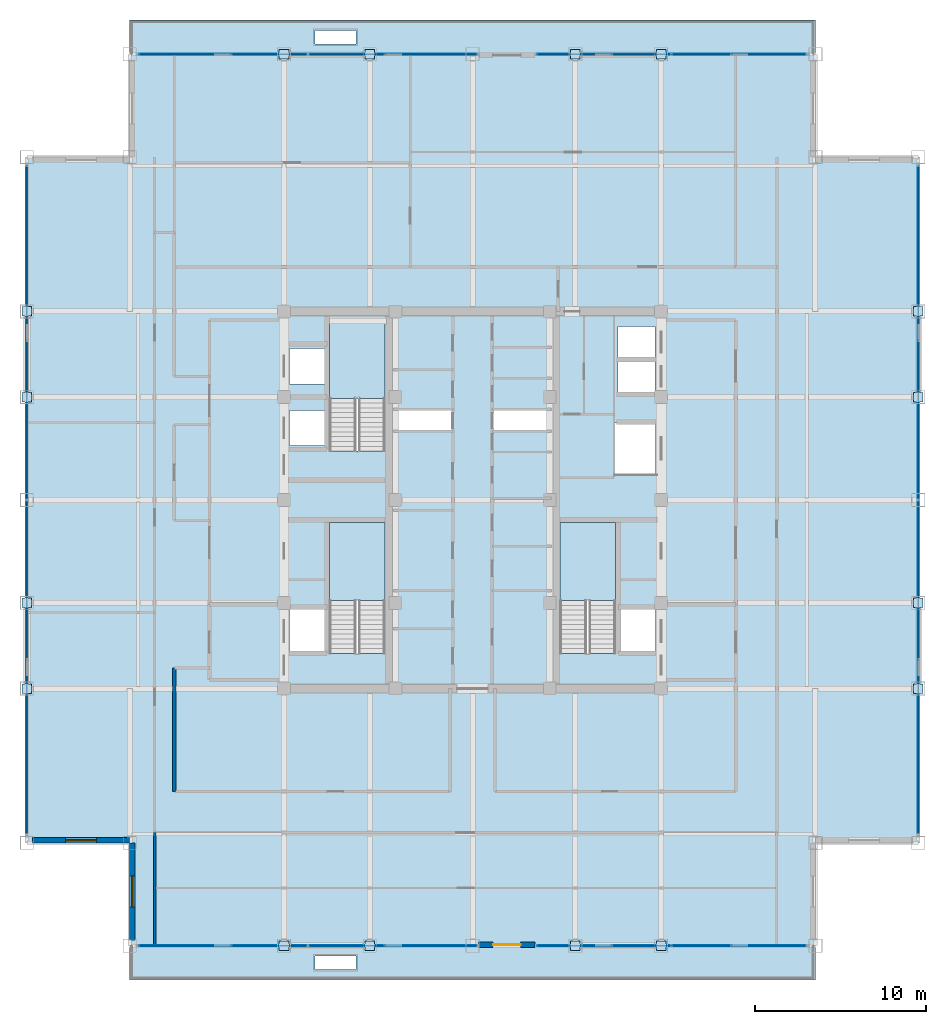
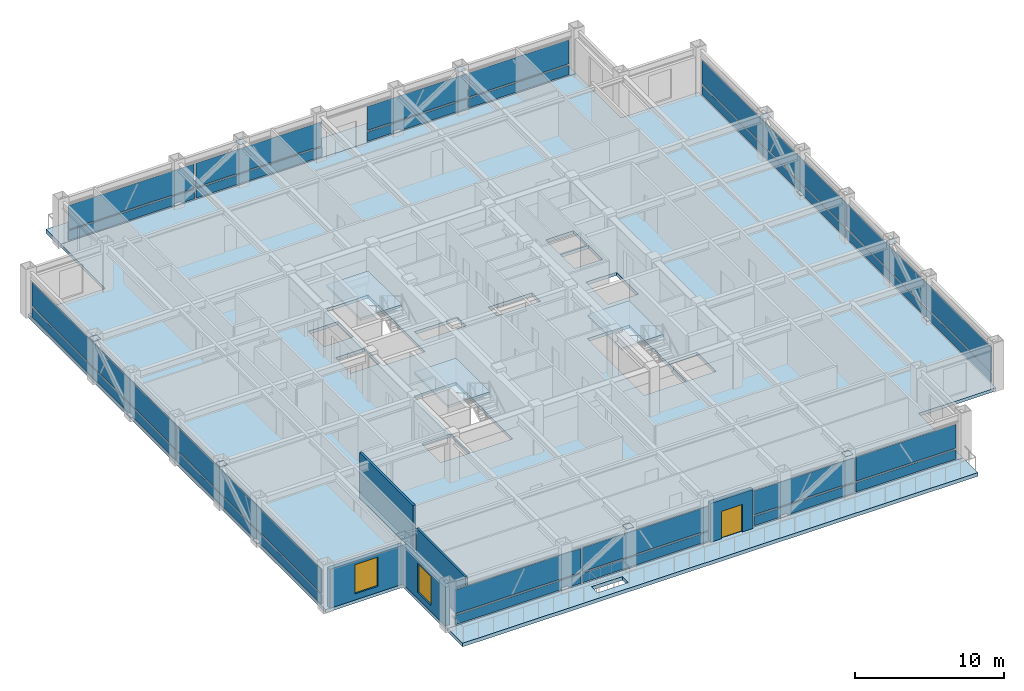
# One storey, part 23 of 30: 40 plates, 6 slabs, 5 walls, 2 windows, 1 door, 3 openings, 9 elements without a shape of their own.
"""IFC4 building model written with IfcOpenShell, lengths in metres."""

from ifc_helpers import new_model, si_unit, direction, frame, frame_2d, origin, origin_2d, place, context, subcontext, project, spatial, polyline, rectangle, outline, extrude, source, transform, mapped, material, layer, layer_set, type_object, element, fill, aggregate, save


model = new_model("IFC4")

# Units and contexts
model_context = context("Model", 3, precision=1e-05, world=origin(), true_north=direction((0.0, 1.0)))
body_context = subcontext(model_context, "Body", "Model", "MODEL_VIEW")
ifc_project = project(units=[si_unit("LENGTHUNIT", "METRE"), si_unit("AREAUNIT", "SQUARE_METRE"), si_unit("VOLUMEUNIT", "CUBIC_METRE"), si_unit("PLANEANGLEUNIT", "RADIAN"), si_unit("MASSUNIT", "GRAM", prefix="KILO")], contexts=[model_context])

# Site, building, storey
site_placement = place(None, origin())
site = spatial("IfcSite", under=ifc_project, at=site_placement, CompositionType="ELEMENT")
building_placement = place(site_placement, origin())
building = spatial("IfcBuilding", under=site, at=building_placement, Name="Khorayat Bourse Tower", CompositionType="ELEMENT")
storey_placement = place(building_placement, frame((0.0, 0.0, 326.300048828125)))
storey = spatial("IfcBuildingStorey", under=building, at=storey_placement, Name="L77", CompositionType="ELEMENT", Elevation=326.300048828125)

# Stair, slab
ifc_material_1 = material(Name="Concrete C40/50", Category="concrete")
stair_type = type_object("IfcStairType", Name="STR-CORE-1550", PredefinedType="HALF_TURN_STAIR", material=ifc_material_1)
stair_1_placement = place(storey_placement, origin())
stair_1 = element("IfcStair", 1, at=stair_1_placement, inside=storey, type_object=stair_type, Name="L77 Exit Stair ST-1", PredefinedType="HALF_TURN_STAIR")
ifc_layer_1 = layer(ifc_material_1, 0.199951171875)
ifc_layer_set_1 = layer_set([ifc_layer_1], Name="Concrete C40/50")
slab_type_1 = type_object("IfcSlabType", Name="SLB-LANDING-200", PredefinedType="LANDING", material=ifc_layer_set_1)
slab_1_placement = place(storey_placement, frame((0.0, 0.0, 1.800048828125)))
slab_1 = element("IfcSlab", 2, at=slab_1_placement, type_object=slab_type_1, Name="ST-1 landing 1", PredefinedType="LANDING", context=body_context, shape_type="SweptSolid", body=[
    extrude(outline(polyline([(-5.10009765625, -5.8701171875), (-5.10009765625, -1.300048828125), (-8.35009765625, -1.300048828125), (-8.35009765625, -5.8701171875), (-5.10009765625, -5.8701171875)])), origin(), (0.0, 0.0, 1.0), 0.199951171875),
])
aggregate(stair_1, [slab_1])

stair_2_placement = place(storey_placement, origin())
stair_2 = element("IfcStair", 3, at=stair_2_placement, inside=storey, type_object=stair_type, Name="L77 Exit Stair ST-2", PredefinedType="HALF_TURN_STAIR")
slab_2_placement = place(storey_placement, frame((0.0, 0.0, 1.800048828125)))
slab_2 = element("IfcSlab", 4, at=slab_2_placement, type_object=slab_type_1, Name="ST-2 landing 1", PredefinedType="LANDING", context=body_context, shape_type="SweptSolid", body=[
    extrude(outline(polyline([(-5.10009765625, 5.929931640625), (-5.10009765625, 10.5), (-8.35009765625, 10.5), (-8.35009765625, 5.929931640625), (-5.10009765625, 5.929931640625)])), origin(), (0.0, 0.0, 1.0), 0.199951171875),
])
aggregate(stair_2, [slab_2])

stair_3_placement = place(storey_placement, origin())
stair_3 = element("IfcStair", 5, at=stair_3_placement, inside=storey, type_object=stair_type, Name="L77 Exit Stair ST-3", PredefinedType="HALF_TURN_STAIR")
slab_3_placement = place(storey_placement, frame((0.0, 0.0, 1.800048828125)))
slab_3 = element("IfcSlab", 6, at=slab_3_placement, type_object=slab_type_1, Name="ST-3 landing 1", PredefinedType="LANDING", context=body_context, shape_type="SweptSolid", body=[
    extrude(outline(polyline([(8.35009765625, -5.8701171875), (8.35009765625, -1.300048828125), (5.10009765625, -1.300048828125), (5.10009765625, -5.8701171875), (8.35009765625, -5.8701171875)])), origin(), (0.0, 0.0, 1.0), 0.199951171875),
])
aggregate(stair_3, [slab_3])

# Slabs
ifc_layer_2 = layer(ifc_material_1, 0.219970703125)
ifc_layer_set_2 = layer_set([ifc_layer_2], Name="Concrete C40/50")
slab_type_2 = type_object("IfcSlabType", Name="SLB-OFFICE-220", PredefinedType="FLOOR", material=ifc_layer_set_2)
slab_4_placement = place(storey_placement, frame((0.0, 0.0, -0.260009765625)))
element("IfcSlab", 7, at=slab_4_placement, inside=storey, type_object=slab_type_2, Name="L77 Main Floor Slab", PredefinedType="FLOOR", context=body_context, shape_type="SweptSolid", body=[
    extrude(outline(polyline([(-20.0, -26.0), (20.0, -26.0), (20.0, -20.0), (26.0, -20.0), (26.0, 20.0), (20.0, 20.0), (20.0, 26.0), (-20.0, 26.0), (-20.0, 20.0), (-26.0, 20.0), (-26.0, -20.0), (-20.0, -20.0), (-20.0, -26.0)]), holes=[polyline([(-8.35009765625, -8.945068359375), (-5.10009765625, -8.945068359375), (-5.10009765625, -1.300048828125), (-8.35009765625, -1.300048828125), (-8.35009765625, -8.945068359375)]), polyline([(-8.35009765625, 2.85498046875), (-5.10009765625, 2.85498046875), (-5.10009765625, 10.5), (-8.35009765625, 10.5), (-8.35009765625, 2.85498046875)]), polyline([(5.10009765625, -8.945068359375), (8.35009765625, -8.945068359375), (8.35009765625, -1.300048828125), (5.10009765625, -1.300048828125), (5.10009765625, -8.945068359375)]), polyline([(-10.679931640625, 3.169921875), (-8.419921875, 3.169921875), (-8.419921875, 5.22998046875), (-10.679931640625, 5.22998046875), (-10.679931640625, 3.169921875)]), polyline([(-10.679931640625, 6.77001953125), (-8.419921875, 6.77001953125), (-8.419921875, 8.830078125), (-10.679931640625, 8.830078125), (-10.679931640625, 6.77001953125)]), polyline([(8.469970703125, 6.27001953125), (10.6298828125, 6.27001953125), (10.6298828125, 8.1298828125), (8.469970703125, 8.1298828125), (8.469970703125, 6.27001953125)]), polyline([(8.469970703125, 8.27001953125), (10.6298828125, 8.27001953125), (10.6298828125, 10.1298828125), (8.469970703125, 10.1298828125), (8.469970703125, 8.27001953125)]), polyline([(-10.679931640625, -8.929931640625), (-8.419921875, -8.929931640625), (-8.419921875, -6.3701171875), (-10.679931640625, -6.3701171875), (-10.679931640625, -8.929931640625)]), polyline([(8.419921875, -8.929931640625), (10.679931640625, -8.929931640625), (10.679931640625, -6.3701171875), (8.419921875, -6.3701171875), (8.419921875, -8.929931640625)]), polyline([(8.320068359375, 1.52001953125), (10.679931640625, 1.52001953125), (10.679931640625, 4.47998046875), (8.320068359375, 4.47998046875), (8.320068359375, 1.52001953125)]), polyline([(-4.56005859375, 4.080078125), (-1.18994140625, 4.080078125), (-1.18994140625, 5.219970703125), (-4.56005859375, 5.219970703125), (-4.56005859375, 4.080078125)]), polyline([(1.18994140625, 4.080078125), (4.56005859375, 4.080078125), (4.56005859375, 5.219970703125), (1.18994140625, 5.219970703125), (1.18994140625, 4.080078125)])]), origin(), (0.0, 0.0, 1.0), 0.260009765625),
])
ifc_layer_3 = layer(ifc_material_1, 0.300048828125)
ifc_layer_set_3 = layer_set([ifc_layer_3], Name="Concrete C40/50")
slab_type_3 = type_object("IfcSlabType", Name="SLB-TERR-300", PredefinedType="FLOOR", material=ifc_layer_set_3)
slab_5_placement = place(storey_placement, frame((0.0, 0.0, -0.300048828125)))
element("IfcSlab", 8, at=slab_5_placement, inside=storey, type_object=slab_type_3, Name="L77 Planted Garden Terrace Slab 01", PredefinedType="FLOOR", context=body_context, shape_type="SweptSolid", body=[
    extrude(outline(polyline([(-20.0, 26.0), (20.0, 26.0), (20.0, 28.0), (-20.0, 28.0), (-20.0, 26.0)]), holes=[polyline([(-9.199951171875, 26.60009765625), (-6.800048828125, 26.60009765625), (-6.800048828125, 27.39990234375), (-9.199951171875, 27.39990234375), (-9.199951171875, 26.60009765625)])]), origin(), (0.0, 0.0, 1.0), 0.300048828125),
])
slab_6_placement = place(storey_placement, frame((0.0, 0.0, -0.300048828125)))
element("IfcSlab", 9, at=slab_6_placement, inside=storey, type_object=slab_type_3, Name="L77 Planted Garden Terrace Slab 02", PredefinedType="FLOOR", context=body_context, shape_type="SweptSolid", body=[
    extrude(outline(polyline([(-20.0, -28.0), (20.0, -28.0), (20.0, -26.0), (-20.0, -26.0), (-20.0, -28.0)]), holes=[polyline([(-9.199951171875, -27.39990234375), (-6.800048828125, -27.39990234375), (-6.800048828125, -26.60009765625), (-9.199951171875, -26.60009765625), (-9.199951171875, -27.39990234375)])]), origin(), (0.0, 0.0, 1.0), 0.300048828125),
])

# Plates
ifc_material_2 = material(Name="Steel EN 10025-2 S355J2", Category="steel")
ifc_layer_4 = layer(ifc_material_2, 0.02490234375)
ifc_layer_set_4 = layer_set([ifc_layer_4], Name="Steel EN 10025-2 S355J2")
plate_type_1 = type_object("IfcPlateType", Name="PLT-ENDCAP-25", PredefinedType="SHEET", material=ifc_layer_set_4)
shared_shape_1 = source(origin(), body_context, "Body", "SweptSolid", [
    extrude(rectangle(XDim=0.56005859375, YDim=0.56005859375, at=origin_2d()), origin(), (0.0, 0.0, 1.0), 0.02490234375),
])
for number, where, z_axis, x_axis, name in (
    (10, (-11.0, -26.0, 0.237548828125), (0.0, 0.0, 1.0), (1.0, 0.0, 0.0), "L77 Perimeter Brace End Plate 001"),
    (11, (-6.0, -26.0, 3.4775390625), (0.0, 0.0, 1.0), (1.0, 0.0, 0.0), "L77 Perimeter Brace End Plate 002"),
    (12, (6.0, -26.0, 0.237548828125), (0.0, 0.0, 1.0), (1.0, 0.0, 0.0), "L77 Perimeter Brace End Plate 003"),
    (13, (11.0, -26.0, 3.4775390625), (0.0, 0.0, 1.0), (1.0, 0.0, 0.0), "L77 Perimeter Brace End Plate 004"),
    (14, (-11.0, 26.0, 0.237548828125), (0.0, 0.0, 1.0), (1.0, 0.0, 0.0), "L77 Perimeter Brace End Plate 005"),
    (15, (-6.0, 26.0, 3.4775390625), (0.0, 0.0, 1.0), (1.0, 0.0, 0.0), "L77 Perimeter Brace End Plate 006"),
    (16, (6.0, 26.0, 0.237548828125), (0.0, 0.0, 1.0), (1.0, 0.0, 0.0), "L77 Perimeter Brace End Plate 007"),
    (17, (11.0, 26.0, 3.4775390625), (0.0, 0.0, 1.0), (1.0, 0.0, 0.0), "L77 Perimeter Brace End Plate 008"),
    (18, (-26.0, -11.0, 0.237548828125), (0.0, 0.0, 1.0), (1.0, 0.0, 0.0), "L77 Perimeter Brace End Plate 009"),
    (19, (-26.0, -6.0, 3.4775390625), (0.0, 0.0, 1.0), (1.0, 0.0, 0.0), "L77 Perimeter Brace End Plate 010"),
    (20, (-26.0, 6.0, 0.237548828125), (0.0, 0.0, 1.0), (1.0, 0.0, 0.0), "L77 Perimeter Brace End Plate 011"),
    (21, (-26.0, 11.0, 3.4775390625), (0.0, 0.0, 1.0), (1.0, 0.0, 0.0), "L77 Perimeter Brace End Plate 012"),
    (22, (26.0, -11.0, 0.237548828125), (0.0, 0.0, 1.0), (1.0, 0.0, 0.0), "L77 Perimeter Brace End Plate 013"),
    (23, (26.0, -6.0, 3.4775390625), (0.0, 0.0, 1.0), (1.0, 0.0, 0.0), "L77 Perimeter Brace End Plate 014"),
    (24, (26.0, 6.0, 0.237548828125), (0.0, 0.0, 1.0), (1.0, 0.0, 0.0), "L77 Perimeter Brace End Plate 015"),
    (25, (26.0, 11.0, 3.4775390625), (0.0, 0.0, 1.0), (1.0, 0.0, 0.0), "L77 Perimeter Brace End Plate 016"),
):
    element("IfcPlate", number, at=place(storey_placement, frame(where, z_axis=z_axis, x_axis=x_axis)), inside=storey, type_object=plate_type_1, Name=name, PredefinedType="SHEET", context=body_context, shape_type="MappedRepresentation", body=[
        mapped(shared_shape_1, transform((0.0, 0.0, 0.0), scale=1.0)),
    ])

# Curtain wall, plates
ifc_material_3 = material(Name="Aluminium EN AW-6063 T6", Category="aluminium")
curtain_wall_type = type_object("IfcCurtainWallType", Name="CW-SYS-04", PredefinedType="NOTDEFINED", material=ifc_material_3)
curtain_wall_1_placement = place(storey_placement, origin())
curtain_wall_1 = element("IfcCurtainWall", 26, at=curtain_wall_1_placement, inside=storey, type_object=curtain_wall_type, Name="L77 Curtain Wall CW-L77-S1", PredefinedType="NOTDEFINED")
ifc_material_4 = material(Name="Honed desert limestone insulated spandrel", Category="masonry")
ifc_layer_5 = layer(ifc_material_4, 0.06494140625)
ifc_layer_set_5 = layer_set([ifc_layer_5], Name="Honed desert limestone insulated spandrel")
plate_type_2 = type_object("IfcPlateType", Name="CWP-SPAND-03", PredefinedType="CURTAIN_PANEL", material=ifc_layer_set_5)
shared_shape_2 = source(origin(), body_context, "Body", "SweptSolid", [
    extrude(rectangle(XDim=9.77001953125, YDim=0.06494140625, at=origin_2d()), origin(), (0.0, 0.0, 1.0), 0.77001953125),
])
plate_1_placement = place(storey_placement, frame((-14.544921875, -26.0, 0.119873046875), z_axis=(0.0, 0.0, 1.0), x_axis=(1.0, 0.0, 0.0)))
plate_1 = element("IfcPlate", 27, at=plate_1_placement, type_object=plate_type_2, Name="CW-L77-S1 Spandrel Panel 1-1", PredefinedType="CURTAIN_PANEL", context=body_context, shape_type="MappedRepresentation", body=[
    mapped(shared_shape_2, transform((0.0, 0.0, 0.0), scale=1.0)),
])
plate_2_placement = place(storey_placement, frame((-4.655029296875, -26.0, 0.119873046875), z_axis=(0.0, 0.0, 1.0), x_axis=(1.0, 0.0, 0.0)))
plate_2 = element("IfcPlate", 28, at=plate_2_placement, type_object=plate_type_2, Name="CW-L77-S1 Spandrel Panel 2-1", PredefinedType="CURTAIN_PANEL", context=body_context, shape_type="MappedRepresentation", body=[
    mapped(shared_shape_2, transform((0.0, 0.0, 0.0), scale=1.0)),
])

curtain_wall_2_placement = place(storey_placement, origin())
curtain_wall_2 = element("IfcCurtainWall", 29, at=curtain_wall_2_placement, inside=storey, type_object=curtain_wall_type, Name="L77 Curtain Wall CW-L77-N1", PredefinedType="NOTDEFINED")
plate_3_placement = place(storey_placement, frame((-14.544921875, 26.0, 0.119873046875), z_axis=(0.0, 0.0, 1.0), x_axis=(1.0, 0.0, 0.0)))
plate_3 = element("IfcPlate", 30, at=plate_3_placement, type_object=plate_type_2, Name="CW-L77-N1 Spandrel Panel 1-1", PredefinedType="CURTAIN_PANEL", context=body_context, shape_type="MappedRepresentation", body=[
    mapped(shared_shape_2, transform((0.0, 0.0, 0.0), scale=1.0)),
])
plate_4_placement = place(storey_placement, frame((-4.655029296875, 26.0, 0.119873046875), z_axis=(0.0, 0.0, 1.0), x_axis=(1.0, 0.0, 0.0)))
plate_4 = element("IfcPlate", 31, at=plate_4_placement, type_object=plate_type_2, Name="CW-L77-N1 Spandrel Panel 2-1", PredefinedType="CURTAIN_PANEL", context=body_context, shape_type="MappedRepresentation", body=[
    mapped(shared_shape_2, transform((0.0, 0.0, 0.0), scale=1.0)),
])

# Plate
ifc_material_5 = material(Name="Low-E solar-control laminated double glazing", Category="glass")
ifc_layer_6 = layer(ifc_material_5, 0.0419921875)
ifc_layer_set_6 = layer_set([ifc_layer_6], Name="Low-E solar-control laminated double glazing")
plate_type_3 = type_object("IfcPlateType", Name="CWP-FACET-02", PredefinedType="CURTAIN_PANEL", material=ifc_layer_set_6)
shared_shape_3 = source(origin(), body_context, "Body", "SweptSolid", [
    extrude(rectangle(XDim=9.77001953125, YDim=0.0419921875, at=origin_2d()), origin(), (0.0, 0.0, 1.0), 1.9599609375),
])
plate_5_placement = place(storey_placement, frame((-14.544921875, -26.0, 1.010009765625), z_axis=(0.0, 0.0, 1.0), x_axis=(1.0, 0.0, 0.0)))
plate_5 = element("IfcPlate", 32, at=plate_5_placement, type_object=plate_type_3, Name="CW-L77-S1 Vision Panel 1-2", PredefinedType="CURTAIN_PANEL", context=body_context, shape_type="MappedRepresentation", body=[
    mapped(shared_shape_3, transform((0.0, 0.0, 0.0), scale=1.0)),
])

plate_6_placement = place(storey_placement, frame((-4.655029296875, -26.0, 1.010009765625), z_axis=(0.0, 0.0, 1.0), x_axis=(1.0, 0.0, 0.0)))
plate_6 = element("IfcPlate", 33, at=plate_6_placement, type_object=plate_type_3, Name="CW-L77-S1 Vision Panel 2-2", PredefinedType="CURTAIN_PANEL", context=body_context, shape_type="MappedRepresentation", body=[
    mapped(shared_shape_3, transform((0.0, 0.0, 0.0), scale=1.0)),
])

aggregate(curtain_wall_1, [plate_1, plate_5, plate_2, plate_6])

plate_7_placement = place(storey_placement, frame((-14.544921875, 26.0, 1.010009765625), z_axis=(0.0, 0.0, 1.0), x_axis=(1.0, 0.0, 0.0)))
plate_7 = element("IfcPlate", 34, at=plate_7_placement, type_object=plate_type_3, Name="CW-L77-N1 Vision Panel 1-2", PredefinedType="CURTAIN_PANEL", context=body_context, shape_type="MappedRepresentation", body=[
    mapped(shared_shape_3, transform((0.0, 0.0, 0.0), scale=1.0)),
])

plate_8_placement = place(storey_placement, frame((-4.655029296875, 26.0, 1.010009765625), z_axis=(0.0, 0.0, 1.0), x_axis=(1.0, 0.0, 0.0)))
plate_8 = element("IfcPlate", 35, at=plate_8_placement, type_object=plate_type_3, Name="CW-L77-N1 Vision Panel 2-2", PredefinedType="CURTAIN_PANEL", context=body_context, shape_type="MappedRepresentation", body=[
    mapped(shared_shape_3, transform((0.0, 0.0, 0.0), scale=1.0)),
])

aggregate(curtain_wall_2, [plate_3, plate_7, plate_4, plate_8])

# Curtain wall, plates
curtain_wall_3_placement = place(storey_placement, origin())
curtain_wall_3 = element("IfcCurtainWall", 36, at=curtain_wall_3_placement, inside=storey, type_object=curtain_wall_type, Name="L77 Curtain Wall CW-L77-S2", PredefinedType="NOTDEFINED")
shared_shape_4 = source(origin(), body_context, "Body", "SweptSolid", [
    extrude(rectangle(XDim=7.77001953125, YDim=0.06494140625, at=origin_2d()), origin(), (0.0, 0.0, 1.0), 0.77001953125),
])
plate_9_placement = place(storey_placement, frame((7.655029296875, -26.0, 0.119873046875), z_axis=(0.0, 0.0, 1.0), x_axis=(1.0, 0.0, 0.0)))
plate_9 = element("IfcPlate", 37, at=plate_9_placement, type_object=plate_type_2, Name="CW-L77-S2 Spandrel Panel 1-1", PredefinedType="CURTAIN_PANEL", context=body_context, shape_type="MappedRepresentation", body=[
    mapped(shared_shape_4, transform((0.0, 0.0, 0.0), scale=1.0)),
])
plate_10_placement = place(storey_placement, frame((15.544921875, -26.0, 0.119873046875), z_axis=(0.0, 0.0, 1.0), x_axis=(1.0, 0.0, 0.0)))
plate_10 = element("IfcPlate", 38, at=plate_10_placement, type_object=plate_type_2, Name="CW-L77-S2 Spandrel Panel 2-1", PredefinedType="CURTAIN_PANEL", context=body_context, shape_type="MappedRepresentation", body=[
    mapped(shared_shape_4, transform((0.0, 0.0, 0.0), scale=1.0)),
])

curtain_wall_4_placement = place(storey_placement, origin())
curtain_wall_4 = element("IfcCurtainWall", 39, at=curtain_wall_4_placement, inside=storey, type_object=curtain_wall_type, Name="L77 Curtain Wall CW-L77-N2", PredefinedType="NOTDEFINED")
plate_11_placement = place(storey_placement, frame((7.655029296875, 26.0, 0.119873046875), z_axis=(0.0, 0.0, 1.0), x_axis=(1.0, 0.0, 0.0)))
plate_11 = element("IfcPlate", 40, at=plate_11_placement, type_object=plate_type_2, Name="CW-L77-N2 Spandrel Panel 1-1", PredefinedType="CURTAIN_PANEL", context=body_context, shape_type="MappedRepresentation", body=[
    mapped(shared_shape_4, transform((0.0, 0.0, 0.0), scale=1.0)),
])
plate_12_placement = place(storey_placement, frame((15.544921875, 26.0, 0.119873046875), z_axis=(0.0, 0.0, 1.0), x_axis=(1.0, 0.0, 0.0)))
plate_12 = element("IfcPlate", 41, at=plate_12_placement, type_object=plate_type_2, Name="CW-L77-N2 Spandrel Panel 2-1", PredefinedType="CURTAIN_PANEL", context=body_context, shape_type="MappedRepresentation", body=[
    mapped(shared_shape_4, transform((0.0, 0.0, 0.0), scale=1.0)),
])

# Plate
shared_shape_5 = source(origin(), body_context, "Body", "SweptSolid", [
    extrude(rectangle(XDim=7.77001953125, YDim=0.0419921875, at=origin_2d()), origin(), (0.0, 0.0, 1.0), 1.9599609375),
])
plate_13_placement = place(storey_placement, frame((7.655029296875, -26.0, 1.010009765625), z_axis=(0.0, 0.0, 1.0), x_axis=(1.0, 0.0, 0.0)))
plate_13 = element("IfcPlate", 42, at=plate_13_placement, type_object=plate_type_3, Name="CW-L77-S2 Vision Panel 1-2", PredefinedType="CURTAIN_PANEL", context=body_context, shape_type="MappedRepresentation", body=[
    mapped(shared_shape_5, transform((0.0, 0.0, 0.0), scale=1.0)),
])

plate_14_placement = place(storey_placement, frame((15.544921875, -26.0, 1.010009765625), z_axis=(0.0, 0.0, 1.0), x_axis=(1.0, 0.0, 0.0)))
plate_14 = element("IfcPlate", 43, at=plate_14_placement, type_object=plate_type_3, Name="CW-L77-S2 Vision Panel 2-2", PredefinedType="CURTAIN_PANEL", context=body_context, shape_type="MappedRepresentation", body=[
    mapped(shared_shape_5, transform((0.0, 0.0, 0.0), scale=1.0)),
])

aggregate(curtain_wall_3, [plate_9, plate_13, plate_10, plate_14])

plate_15_placement = place(storey_placement, frame((7.655029296875, 26.0, 1.010009765625), z_axis=(0.0, 0.0, 1.0), x_axis=(1.0, 0.0, 0.0)))
plate_15 = element("IfcPlate", 44, at=plate_15_placement, type_object=plate_type_3, Name="CW-L77-N2 Vision Panel 1-2", PredefinedType="CURTAIN_PANEL", context=body_context, shape_type="MappedRepresentation", body=[
    mapped(shared_shape_5, transform((0.0, 0.0, 0.0), scale=1.0)),
])

plate_16_placement = place(storey_placement, frame((15.544921875, 26.0, 1.010009765625), z_axis=(0.0, 0.0, 1.0), x_axis=(1.0, 0.0, 0.0)))
plate_16 = element("IfcPlate", 45, at=plate_16_placement, type_object=plate_type_3, Name="CW-L77-N2 Vision Panel 2-2", PredefinedType="CURTAIN_PANEL", context=body_context, shape_type="MappedRepresentation", body=[
    mapped(shared_shape_5, transform((0.0, 0.0, 0.0), scale=1.0)),
])

aggregate(curtain_wall_4, [plate_11, plate_15, plate_12, plate_16])

# Curtain wall, plates
curtain_wall_5_placement = place(storey_placement, origin())
curtain_wall_5 = element("IfcCurtainWall", 46, at=curtain_wall_5_placement, inside=storey, type_object=curtain_wall_type, Name="L77 Curtain Wall CW-L77-W1", PredefinedType="NOTDEFINED")
shared_shape_6 = source(origin(), body_context, "Body", "SweptSolid", [
    extrude(rectangle(XDim=19.3701171875, YDim=0.06494140625, at=origin_2d()), origin(), (0.0, 0.0, 1.0), 0.77001953125),
])
plate_17_placement = place(storey_placement, frame((-26.0, -9.7451171875, 0.119873046875), z_axis=(0.0, 0.0, 1.0), x_axis=(0.0, 1.0, 0.0)))
plate_17 = element("IfcPlate", 47, at=plate_17_placement, type_object=plate_type_2, Name="CW-L77-W1 Spandrel Panel 1-1", PredefinedType="CURTAIN_PANEL", context=body_context, shape_type="MappedRepresentation", body=[
    mapped(shared_shape_6, transform((0.0, 0.0, 0.0), scale=1.0)),
])
plate_18_placement = place(storey_placement, frame((-26.0, 9.7451171875, 0.119873046875), z_axis=(0.0, 0.0, 1.0), x_axis=(0.0, 1.0, 0.0)))
plate_18 = element("IfcPlate", 48, at=plate_18_placement, type_object=plate_type_2, Name="CW-L77-W1 Spandrel Panel 2-1", PredefinedType="CURTAIN_PANEL", context=body_context, shape_type="MappedRepresentation", body=[
    mapped(shared_shape_6, transform((0.0, 0.0, 0.0), scale=1.0)),
])

curtain_wall_6_placement = place(storey_placement, origin())
curtain_wall_6 = element("IfcCurtainWall", 49, at=curtain_wall_6_placement, inside=storey, type_object=curtain_wall_type, Name="L77 Curtain Wall CW-L77-E1", PredefinedType="NOTDEFINED")
plate_19_placement = place(storey_placement, frame((26.0, -9.7451171875, 0.119873046875), z_axis=(0.0, 0.0, 1.0), x_axis=(0.0, 1.0, 0.0)))
plate_19 = element("IfcPlate", 50, at=plate_19_placement, type_object=plate_type_2, Name="CW-L77-E1 Spandrel Panel 1-1", PredefinedType="CURTAIN_PANEL", context=body_context, shape_type="MappedRepresentation", body=[
    mapped(shared_shape_6, transform((0.0, 0.0, 0.0), scale=1.0)),
])
plate_20_placement = place(storey_placement, frame((26.0, 9.7451171875, 0.119873046875), z_axis=(0.0, 0.0, 1.0), x_axis=(0.0, 1.0, 0.0)))
plate_20 = element("IfcPlate", 51, at=plate_20_placement, type_object=plate_type_2, Name="CW-L77-E1 Spandrel Panel 2-1", PredefinedType="CURTAIN_PANEL", context=body_context, shape_type="MappedRepresentation", body=[
    mapped(shared_shape_6, transform((0.0, 0.0, 0.0), scale=1.0)),
])

# Plate
shared_shape_7 = source(origin(), body_context, "Body", "SweptSolid", [
    extrude(rectangle(XDim=19.3701171875, YDim=0.0419921875, at=origin_2d()), origin(), (0.0, 0.0, 1.0), 1.9599609375),
])
plate_21_placement = place(storey_placement, frame((-26.0, -9.7451171875, 1.010009765625), z_axis=(0.0, 0.0, 1.0), x_axis=(0.0, 1.0, 0.0)))
plate_21 = element("IfcPlate", 52, at=plate_21_placement, type_object=plate_type_3, Name="CW-L77-W1 Vision Panel 1-2", PredefinedType="CURTAIN_PANEL", context=body_context, shape_type="MappedRepresentation", body=[
    mapped(shared_shape_7, transform((0.0, 0.0, 0.0), scale=1.0)),
])

plate_22_placement = place(storey_placement, frame((-26.0, 9.7451171875, 1.010009765625), z_axis=(0.0, 0.0, 1.0), x_axis=(0.0, 1.0, 0.0)))
plate_22 = element("IfcPlate", 53, at=plate_22_placement, type_object=plate_type_3, Name="CW-L77-W1 Vision Panel 2-2", PredefinedType="CURTAIN_PANEL", context=body_context, shape_type="MappedRepresentation", body=[
    mapped(shared_shape_7, transform((0.0, 0.0, 0.0), scale=1.0)),
])

aggregate(curtain_wall_5, [plate_17, plate_21, plate_18, plate_22])

plate_23_placement = place(storey_placement, frame((26.0, -9.7451171875, 1.010009765625), z_axis=(0.0, 0.0, 1.0), x_axis=(0.0, 1.0, 0.0)))
plate_23 = element("IfcPlate", 54, at=plate_23_placement, type_object=plate_type_3, Name="CW-L77-E1 Vision Panel 1-2", PredefinedType="CURTAIN_PANEL", context=body_context, shape_type="MappedRepresentation", body=[
    mapped(shared_shape_7, transform((0.0, 0.0, 0.0), scale=1.0)),
])

plate_24_placement = place(storey_placement, frame((26.0, 9.7451171875, 1.010009765625), z_axis=(0.0, 0.0, 1.0), x_axis=(0.0, 1.0, 0.0)))
plate_24 = element("IfcPlate", 55, at=plate_24_placement, type_object=plate_type_3, Name="CW-L77-E1 Vision Panel 2-2", PredefinedType="CURTAIN_PANEL", context=body_context, shape_type="MappedRepresentation", body=[
    mapped(shared_shape_7, transform((0.0, 0.0, 0.0), scale=1.0)),
])

aggregate(curtain_wall_6, [plate_19, plate_23, plate_20, plate_24])

# Wall, opening, window
ifc_material_6 = material(Name="Precast concrete C45/55", Category="concrete")
ifc_layer_7 = layer(ifc_material_6, 0.320068359375)
ifc_layer_set_7 = layer_set([ifc_layer_7], Name="Precast concrete C45/55")
wall_type_1 = type_object("IfcWallType", Name="WAL-EXT-STONE-320", PredefinedType="STANDARD", material=ifc_layer_set_7)
shared_shape_8 = source(origin(), body_context, "Body", "SweptSolid", [
    extrude(rectangle(XDim=5.679931640625, YDim=0.320068359375, at=frame_2d((2.83984375, 0.0))), origin(), (0.0, 0.0, 1.0), 3.19091796875),
])
wall_1_placement = place(storey_placement, frame((-20.0, -19.840087890625, 0.0), z_axis=(0.0, 0.0, 1.0), x_axis=(-1.0, 0.0, 0.0)))
wall_1 = element("IfcWall", 56, at=wall_1_placement, inside=storey, type_object=wall_type_1, Name="L77 Re-Entrant Notch Limestone Wall SW-H", PredefinedType="STANDARD", context=body_context, shape_type="MappedRepresentation", body=[
    mapped(shared_shape_8, transform((0.0, 0.0, 0.0), scale=1.0)),
])
shared_shape_9 = source(origin(), body_context, "Body", "SweptSolid", [
    extrude(rectangle(XDim=1.800048828125, YDim=2.39990234375, at=frame_2d((0.89990234375, 1.199951171875))), frame((0.0, 0.169921875, 0.0), z_axis=(0.0, -1.0, 0.0), x_axis=(1.0, 0.0, 0.0)), (0.0, 0.0, 1.0), 0.340087890625),
])
opening_1_placement = place(wall_1_placement, frame((1.93994140625, 0.0, 0.5)))
opening_1 = element("IfcOpeningElement", 57, at=opening_1_placement, cuts=wall_1, Name="Opening WN-04", PredefinedType="OPENING", context=body_context, shape_type="MappedRepresentation", body=[
    mapped(shared_shape_9, transform((0.0, 0.0, 0.0), scale=1.0)),
])
ifc_material_7 = material(Name="Low-E acoustic laminated double glazing", Category="glass")
window_type = type_object("IfcWindowType", Name="WIN-NOTCH-1800x2400", PartitioningType="SINGLE_PANEL", PredefinedType="WINDOW", material=ifc_material_7)
shared_shape_10 = source(origin(), body_context, "Body", "SweptSolid", [
    extrude(rectangle(XDim=1.800048828125, YDim=2.39990234375, at=frame_2d((0.89990234375, 1.199951171875))), frame((0.0, 0.030029296875, 0.0), z_axis=(0.0, -1.0, 0.0), x_axis=(1.0, 0.0, 0.0)), (0.0, 0.0, 1.0), 0.06005859375),
])
window_1_placement = place(opening_1_placement, origin())
window_1 = element("IfcWindow", 58, at=window_1_placement, inside=storey, type_object=window_type, Name="L77 Facade Window 1", OverallHeight=2.39990234375, OverallWidth=1.800048828125, PartitioningType="SINGLE_PANEL", PredefinedType="WINDOW", context=body_context, shape_type="MappedRepresentation", body=[
    mapped(shared_shape_10, transform((0.0, 0.0, 0.0), scale=1.0)),
])
fill(opening_1, window_1)

wall_2_placement = place(storey_placement, frame((-19.840087890625, -25.679931640625, 0.0), z_axis=(0.0, 0.0, 1.0), x_axis=(0.0, 1.0, 0.0)))
wall_2 = element("IfcWall", 59, at=wall_2_placement, inside=storey, type_object=wall_type_1, Name="L77 Re-Entrant Notch Limestone Wall SW-V", PredefinedType="STANDARD", context=body_context, shape_type="MappedRepresentation", body=[
    mapped(shared_shape_8, transform((0.0, 0.0, 0.0), scale=1.0)),
])
opening_2_placement = place(wall_2_placement, frame((1.93994140625, 0.0, 0.5)))
opening_2 = element("IfcOpeningElement", 60, at=opening_2_placement, cuts=wall_2, Name="Opening WN-04", PredefinedType="OPENING", context=body_context, shape_type="MappedRepresentation", body=[
    mapped(shared_shape_9, transform((0.0, 0.0, 0.0), scale=1.0)),
])
window_2_placement = place(opening_2_placement, origin())
window_2 = element("IfcWindow", 61, at=window_2_placement, inside=storey, type_object=window_type, Name="L77 Facade Window 1", OverallHeight=2.39990234375, OverallWidth=1.800048828125, PartitioningType="SINGLE_PANEL", PredefinedType="WINDOW", context=body_context, shape_type="MappedRepresentation", body=[
    mapped(shared_shape_10, transform((0.0, 0.0, 0.0), scale=1.0)),
])
fill(opening_2, window_2)

# Wall, opening, door
shared_shape_11 = source(origin(), body_context, "Body", "SweptSolid", [
    extrude(rectangle(XDim=3.2998046875, YDim=0.320068359375, at=frame_2d((1.64990234375, 0.0))), origin(), (0.0, 0.0, 1.0), 3.19091796875),
])
wall_3_placement = place(storey_placement, frame((0.35009765625, -25.9423828125, 0.0), z_axis=(0.0, 0.0, 1.0), x_axis=(1.0, 0.0, 0.0)))
wall_3 = element("IfcWall", 62, at=wall_3_placement, inside=storey, type_object=wall_type_1, Name="L77 Exterior Limestone Wall WAL-L77-TDPORT-S1", PredefinedType="STANDARD", context=body_context, shape_type="MappedRepresentation", body=[
    mapped(shared_shape_11, transform((0.0, 0.0, 0.0), scale=1.0)),
])
shared_shape_12 = source(origin(), body_context, "Body", "SweptSolid", [
    extrude(rectangle(XDim=1.60009765625, YDim=2.25, at=frame_2d((0.800048828125, 1.125))), frame((0.0, 0.169921875, 0.0), z_axis=(0.0, -1.0, 0.0), x_axis=(1.0, 0.0, 0.0)), (0.0, 0.0, 1.0), 0.340087890625),
])
opening_3_placement = place(wall_3_placement, frame((0.85009765625, 0.0, 0.0)))
opening_3 = element("IfcOpeningElement", 63, at=opening_3_placement, cuts=wall_3, Name="Opening DE-04", PredefinedType="OPENING", context=body_context, shape_type="MappedRepresentation", body=[
    mapped(shared_shape_12, transform((0.0, 0.0, 0.0), scale=1.0)),
])
ifc_material_8 = material(Name="Thermally broken aluminium terrace double door", Category="aluminium")
door_type = type_object("IfcDoorType", Name="DR-EXT-TERR-1600", OperationType="NOTDEFINED", PredefinedType="DOOR", material=ifc_material_8)
shared_shape_13 = source(origin(), body_context, "Body", "SweptSolid", [
    extrude(rectangle(XDim=1.60009765625, YDim=2.25, at=frame_2d((0.800048828125, 1.125))), frame((0.0, 0.02490234375, 0.0), z_axis=(0.0, -1.0, 0.0), x_axis=(1.0, 0.0, 0.0)), (0.0, 0.0, 1.0), 0.050048828125),
])
door_placement = place(opening_3_placement, origin())
door = element("IfcDoor", 64, at=door_placement, inside=storey, type_object=door_type, Name="L77 South Setback Terrace Door", OperationType="DOUBLE_DOOR_SINGLE_SWING", OverallHeight=2.25, OverallWidth=1.60009765625, PredefinedType="DOOR", context=body_context, shape_type="MappedRepresentation", body=[
    mapped(shared_shape_13, transform((0.0, 0.0, 0.0), scale=1.0)),
])
fill(opening_3, door)

# Walls
ifc_material_9 = material(Name="Gypsum plasterboard acoustic stud wall")
ifc_layer_8 = layer(ifc_material_9, 0.179931640625)
ifc_layer_set_8 = layer_set([ifc_layer_8], Name="Gypsum plasterboard acoustic stud wall")
wall_type_2 = type_object("IfcWallType", Name="WAL-PART-CORR-180", PredefinedType="PARTITIONING", material=ifc_layer_set_8)
shared_shape_14 = source(origin(), body_context, "Body", "SweptSolid", [
    extrude(rectangle(XDim=7.199951171875, YDim=0.179931640625, at=frame_2d((3.60009765625, 0.0))), origin(), (0.0, 0.0, 1.0), 3.739990234375),
])
wall_4_placement = place(storey_placement, frame((-17.39990234375, -17.0, 0.0), z_axis=(0.0, 0.0, 1.0), x_axis=(0.0, 1.0, 0.0)))
element("IfcWall", 65, at=wall_4_placement, inside=storey, type_object=wall_type_2, Name="L77 Partition WAL-L77-PKSW-W", PredefinedType="PARTITIONING", context=body_context, shape_type="MappedRepresentation", body=[
    mapped(shared_shape_14, transform((0.0, 0.0, 0.0), scale=1.0)),
])
ifc_material_10 = material(Name="Gypsum plasterboard twin-frame partition")
ifc_layer_9 = layer(ifc_material_10, 0.14990234375)
ifc_layer_set_9 = layer_set([ifc_layer_9], Name="Gypsum plasterboard twin-frame partition")
wall_type_3 = type_object("IfcWallType", Name="WAL-PART-SUITE-150", PredefinedType="PARTITIONING", material=ifc_layer_set_9)
shared_shape_15 = source(origin(), body_context, "Body", "SweptSolid", [
    extrude(rectangle(XDim=6.60009765625, YDim=0.14990234375, at=frame_2d((3.300048828125, 0.0))), origin(), (0.0, 0.0, 1.0), 3.739990234375),
])
wall_5_placement = place(storey_placement, frame((-18.550048828125, -26.0, 0.0), z_axis=(0.0, 0.0, 1.0), x_axis=(0.0, 1.0, 0.0)))
element("IfcWall", 66, at=wall_5_placement, inside=storey, type_object=wall_type_3, Name="L77 Partition WAL-L77-SCW-END", PredefinedType="PARTITIONING", context=body_context, shape_type="MappedRepresentation", body=[
    mapped(shared_shape_15, transform((0.0, 0.0, 0.0), scale=1.0)),
])

save(model, "model.ifc")
